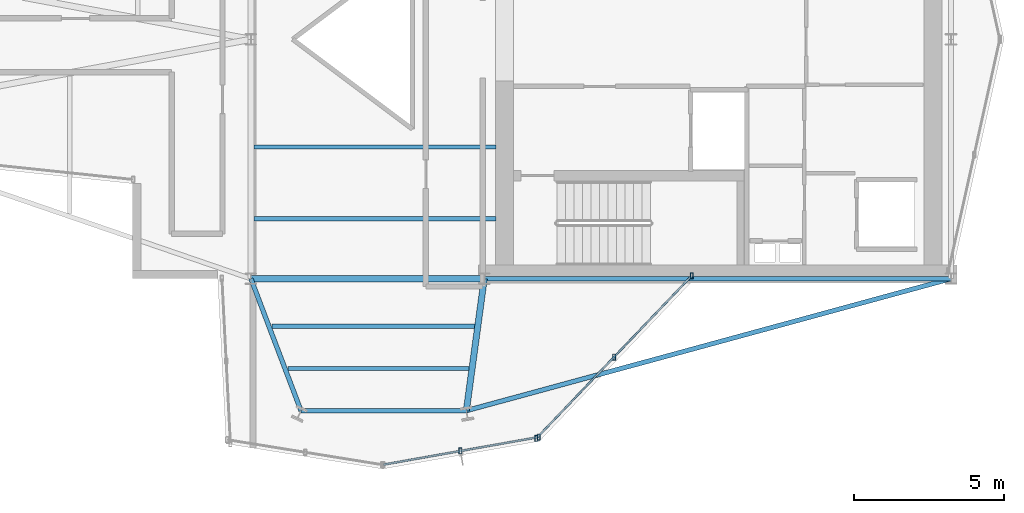
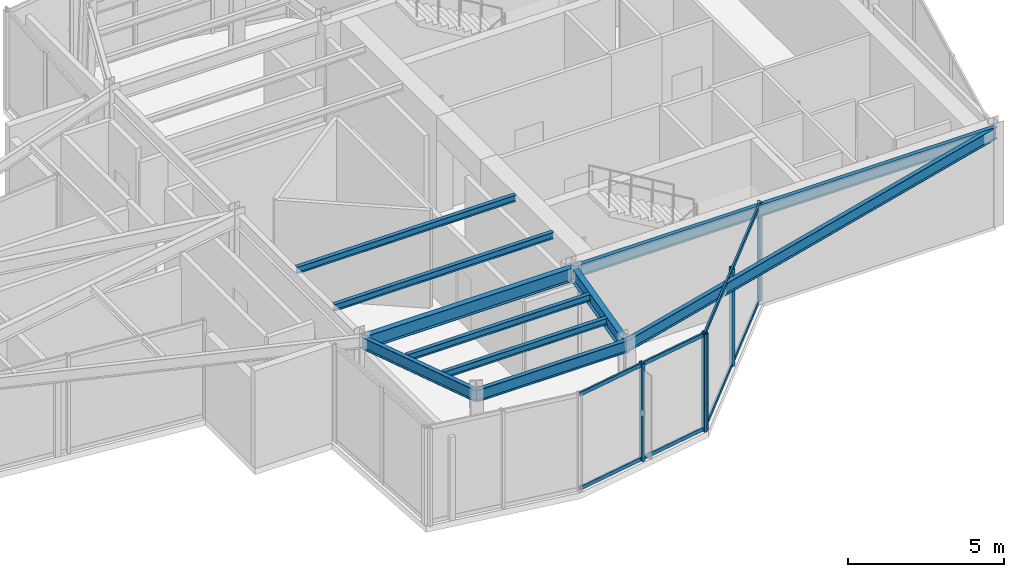
# One storey, part 3 of 14: 10 beams, 9 members, 2 elements without a shape of their own.
"""IFC4 building model written with IfcOpenShell, lengths in metres."""

from ifc_helpers import new_model, si_unit, direction, frame, origin, origin_2d, place, context, subcontext, project, spatial, hollow_rectangle, i_section, extrude, material, layer, layer_set, material_profile, profile_set, type_object, element, aggregate, save


model = new_model("IFC4")

# Units and contexts
model_context = context("Model", 3, precision=1e-05, world=origin(), true_north=direction((0.0, 1.0)))
body_context = subcontext(model_context, "Body", "Model", "MODEL_VIEW")
ifc_project = project(units=[si_unit("LENGTHUNIT", "METRE"), si_unit("AREAUNIT", "SQUARE_METRE"), si_unit("VOLUMEUNIT", "CUBIC_METRE"), si_unit("PLANEANGLEUNIT", "RADIAN"), si_unit("MASSUNIT", "GRAM", prefix="KILO")], contexts=[model_context])

# Site, building, storey
site_placement = place(None, origin())
site = spatial("IfcSite", under=ifc_project, at=site_placement, CompositionType="ELEMENT")
building_placement = place(site_placement, origin())
building = spatial("IfcBuilding", under=site, at=building_placement, Name="Veymaron Broadcast Tower", CompositionType="ELEMENT")
storey_placement = place(building_placement, frame((0.0, 0.0, 299.25)))
storey = spatial("IfcBuildingStorey", under=building, at=storey_placement, Name="L70", CompositionType="ELEMENT", Elevation=299.25)

# Beams
ifc_material_1 = material(Name="Structural steel ASTM A992 Gr 50", Category="steel")
ifc_material_profile_1 = material_profile(ifc_material_1, i_section(OverallWidth=0.208984375, OverallDepth=0.528076171875, WebThickness=0.009521484375, FlangeThickness=0.01318359375, at=origin_2d()), Name="W530X82")
ifc_profile_set_1 = profile_set([ifc_material_profile_1], Name="Structural steel ASTM A992 Gr 50")
beam_type_1 = type_object("IfcBeamType", Name="BM-FG4", PredefinedType="BEAM", material=ifc_profile_set_1)
beam_1_placement = place(storey_placement, frame((31.199951171875, 16.0, 3.5458984375), z_axis=(1.0, 0.0, 0.0), x_axis=(0.0, 1.0, 0.0)))
element("IfcBeam", 1, at=beam_1_placement, inside=storey, type_object=beam_type_1, Name="L70 primary structural floor girder", PredefinedType="BEAM", context=body_context, shape_type="SweptSolid", body=[
    extrude(i_section(OverallWidth=0.208984375, OverallDepth=0.528076171875, WebThickness=0.009521484375, FlangeThickness=0.01318359375, at=origin_2d()), origin(), (0.0, 0.0, 1.0), 7.800048828125),
])
beam_2_placement = place(storey_placement, frame((39.0, 16.0, 3.5458984375), z_axis=(-0.134286101992, -0.990942603187, 0.0), x_axis=(0.990942603187, -0.134286101992, 0.0)))
element("IfcBeam", 2, at=beam_2_placement, inside=storey, type_object=beam_type_1, Name="L70 primary structural floor girder", PredefinedType="BEAM", context=body_context, shape_type="SweptSolid", body=[
    extrude(i_section(OverallWidth=0.208984375, OverallDepth=0.528076171875, WebThickness=0.009521484375, FlangeThickness=0.01318359375, at=origin_2d()), origin(), (0.0, 0.0, 1.0), 4.452392578125),
])
ifc_material_profile_2 = material_profile(ifc_material_1, i_section(OverallWidth=0.14599609375, OverallDepth=0.258056640625, WebThickness=0.006103515625, FlangeThickness=0.009033203125, at=origin_2d()), Name="W250X33")
ifc_profile_set_2 = profile_set([ifc_material_profile_2], Name="Structural steel ASTM A992 Gr 50")
beam_type_2 = type_object("IfcBeamType", Name="BM-JS4", PredefinedType="JOIST", material=ifc_profile_set_2)
beam_3_placement = place(storey_placement, frame((31.90283203125, 14.41162109375, 3.680908203125), z_axis=(1.0, 0.0, 0.0), x_axis=(0.0, 1.0, 0.0)))
element("IfcBeam", 3, at=beam_3_placement, inside=storey, type_object=beam_type_2, Name="L70 Arm-C secondary joist 1", PredefinedType="JOIST", context=body_context, shape_type="SweptSolid", body=[
    extrude(i_section(OverallWidth=0.14599609375, OverallDepth=0.258056640625, WebThickness=0.006103515625, FlangeThickness=0.009033203125, at=origin_2d()), origin(), (0.0, 0.0, 1.0), 6.781982421875),
])
beam_4_placement = place(storey_placement, frame((32.438720703125, 12.999755859375, 3.680908203125), z_axis=(1.0, 0.0, 0.0), x_axis=(0.0, 1.0, 0.0)))
element("IfcBeam", 4, at=beam_4_placement, inside=storey, type_object=beam_type_2, Name="L70 Arm-C secondary joist 2", PredefinedType="JOIST", context=body_context, shape_type="SweptSolid", body=[
    extrude(i_section(OverallWidth=0.14599609375, OverallDepth=0.258056640625, WebThickness=0.006103515625, FlangeThickness=0.009033203125, at=origin_2d()), origin(), (0.0, 0.0, 1.0), 6.0546875),
])
for number, where, z_axis, x_axis, name in (
    (5, (31.300048828125, 18.0, 3.680908203125), (1.0, 0.0, 0.0), (0.0, 1.0, 0.0), "L70 Hub secondary joist 1"),
    (6, (31.300048828125, 20.39990234375, 3.680908203125), (1.0, 0.0, 0.0), (0.0, 1.0, 0.0), "L70 Hub secondary joist 2"),
):
    element("IfcBeam", number, at=place(storey_placement, frame(where, z_axis=z_axis, x_axis=x_axis)), inside=storey, type_object=beam_type_2, Name=name, PredefinedType="JOIST", context=body_context, shape_type="SweptSolid", body=[
        extrude(i_section(OverallWidth=0.14599609375, OverallDepth=0.258056640625, WebThickness=0.006103515625, FlangeThickness=0.009033203125, at=origin_2d()), origin(), (0.0, 0.0, 1.0), 8.099853515625),
    ])
ifc_material_profile_3 = material_profile(ifc_material_1, i_section(OverallWidth=0.154052734375, OverallDepth=0.458984375, WebThickness=0.009033203125, FlangeThickness=0.015380859375, at=origin_2d()), Name="W460X68")
ifc_profile_set_3 = profile_set([ifc_material_profile_3], Name="Structural steel ASTM A992 Gr 50")
beam_type_3 = type_object("IfcBeamType", Name="BM-SP2", PredefinedType="SPANDREL", material=ifc_profile_set_3)
beam_5_placement = place(storey_placement, frame((39.0, 16.0, 3.58056640625), z_axis=(1.0, 0.0, 0.0), x_axis=(0.0, 1.0, 0.0)))
element("IfcBeam", 7, at=beam_5_placement, inside=storey, type_object=beam_type_3, Name="L70 primary structural floor girder", PredefinedType="SPANDREL", context=body_context, shape_type="SweptSolid", body=[
    extrude(i_section(OverallWidth=0.154052734375, OverallDepth=0.458984375, WebThickness=0.009033203125, FlangeThickness=0.015380859375, at=origin_2d()), origin(), (0.0, 0.0, 1.0), 15.60009765625),
])
beam_6_placement = place(storey_placement, frame((31.199951171875, 16.0, 3.58056640625), z_axis=(0.354839811516, -0.934927113824, 0.0), x_axis=(0.934927113824, 0.354839811516, 0.0)))
element("IfcBeam", 8, at=beam_6_placement, inside=storey, type_object=beam_type_3, Name="L70 primary structural floor girder", PredefinedType="SPANDREL", context=body_context, shape_type="SweptSolid", body=[
    extrude(i_section(OverallWidth=0.154052734375, OverallDepth=0.458984375, WebThickness=0.009033203125, FlangeThickness=0.015380859375, at=origin_2d()), origin(), (0.0, 0.0, 1.0), 4.71923828125),
])
beam_7_placement = place(storey_placement, frame((54.60009765625, 16.0, 3.58056640625), z_axis=(-0.964847335687, -0.262810994477, 0.0), x_axis=(0.262810994477, -0.964847335687, 0.0)))
element("IfcBeam", 9, at=beam_7_placement, inside=storey, type_object=beam_type_3, Name="L70 primary structural floor girder", PredefinedType="SPANDREL", context=body_context, shape_type="SweptSolid", body=[
    extrude(i_section(OverallWidth=0.154052734375, OverallDepth=0.458984375, WebThickness=0.009033203125, FlangeThickness=0.015380859375, at=origin_2d()), origin(), (0.0, 0.0, 1.0), 16.7880859375),
])
beam_8_placement = place(storey_placement, frame((32.87451171875, 11.587890625, 3.58056640625), z_axis=(1.0, 0.0, 0.0), x_axis=(0.0, 1.0, 0.0)))
element("IfcBeam", 10, at=beam_8_placement, inside=storey, type_object=beam_type_3, Name="L70 primary structural floor girder", PredefinedType="SPANDREL", context=body_context, shape_type="SweptSolid", body=[
    extrude(i_section(OverallWidth=0.154052734375, OverallDepth=0.458984375, WebThickness=0.009033203125, FlangeThickness=0.015380859375, at=origin_2d()), origin(), (0.0, 0.0, 1.0), 5.527587890625),
])

# Curtain wall, members
ifc_material_2 = material(Name="Anodised aluminium AA 6063-T6 and laminated low-E dark glass", Category="aluminium")
ifc_layer = layer(ifc_material_2, 0.179931640625)
ifc_layer_set = layer_set([ifc_layer], Name="Anodised aluminium AA 6063-T6 and laminated low-E dark glass")
curtain_wall_type = type_object("IfcCurtainWallType", Name="CW-SYS-06", PredefinedType="NOTDEFINED", material=ifc_layer_set)
curtain_wall_1_placement = place(storey_placement, origin())
curtain_wall_1 = element("IfcCurtainWall", 11, at=curtain_wall_1_placement, inside=storey, type_object=curtain_wall_type, Name="L70 dark-glass curtain wall CW-L70-E19-1", PredefinedType="NOTDEFINED")
ifc_material_3 = material(Name="Anodised aluminium AA 6063-T6", Category="aluminium")
ifc_material_profile_4 = material_profile(ifc_material_3, hollow_rectangle(XDim=0.10009765625, YDim=0.199951171875, WallThickness=0.010009765625, at=origin_2d()), Name="RHS200X100X10")
ifc_profile_set_4 = profile_set([ifc_material_profile_4], Name="Anodised aluminium AA 6063-T6")
member_type_1 = type_object("IfcMemberType", Name="CW-MUL-01", PredefinedType="MULLION", material=ifc_profile_set_4)
member_1_placement = place(storey_placement, frame((38.2021484375, 10.24072265625, 0.0), z_axis=(0.0, 0.0, 1.0), x_axis=(1.0, 0.0, 0.0)))
member_1 = element("IfcMember", 12, at=member_1_placement, type_object=member_type_1, Name="CW-L70-E19-1 mullion 1", PredefinedType="MULLION", context=body_context, shape_type="SweptSolid", body=[
    extrude(hollow_rectangle(XDim=0.10009765625, YDim=0.199951171875, WallThickness=0.010009765625, at=origin_2d()), origin(), (0.0, 0.0, 1.0), 3.81005859375),
])
member_2_placement = place(storey_placement, frame((40.819580078125, 10.705078125, 0.0), z_axis=(0.0, 0.0, 1.0), x_axis=(1.0, 0.0, 0.0)))
member_2 = element("IfcMember", 13, at=member_2_placement, type_object=member_type_1, Name="CW-L70-E19-1 mullion 2", PredefinedType="MULLION", context=body_context, shape_type="SweptSolid", body=[
    extrude(hollow_rectangle(XDim=0.10009765625, YDim=0.199951171875, WallThickness=0.010009765625, at=origin_2d()), origin(), (0.0, 0.0, 1.0), 3.81005859375),
])

curtain_wall_2_placement = place(storey_placement, origin())
curtain_wall_2 = element("IfcCurtainWall", 14, at=curtain_wall_2_placement, inside=storey, type_object=curtain_wall_type, Name="L70 dark-glass curtain wall CW-L70-E20-1", PredefinedType="NOTDEFINED")
member_3_placement = place(storey_placement, frame((40.74267578125, 10.663818359375, 0.0), z_axis=(0.0, 0.0, 1.0), x_axis=(1.0, 0.0, 0.0)))
member_3 = element("IfcMember", 15, at=member_3_placement, type_object=member_type_1, Name="CW-L70-E20-1 mullion 0", PredefinedType="MULLION", context=body_context, shape_type="SweptSolid", body=[
    extrude(hollow_rectangle(XDim=0.10009765625, YDim=0.199951171875, WallThickness=0.010009765625, at=origin_2d()), origin(), (0.0, 0.0, 1.0), 3.81005859375),
])
member_4_placement = place(storey_placement, frame((43.33837890625, 13.38037109375, 0.0), z_axis=(0.0, 0.0, 1.0), x_axis=(1.0, 0.0, 0.0)))
member_4 = element("IfcMember", 16, at=member_4_placement, type_object=member_type_1, Name="CW-L70-E20-1 mullion 1", PredefinedType="MULLION", context=body_context, shape_type="SweptSolid", body=[
    extrude(hollow_rectangle(XDim=0.10009765625, YDim=0.199951171875, WallThickness=0.010009765625, at=origin_2d()), origin(), (0.0, 0.0, 1.0), 3.81005859375),
])
member_5_placement = place(storey_placement, frame((45.934326171875, 16.0966796875, 0.0), z_axis=(0.0, 0.0, 1.0), x_axis=(1.0, 0.0, 0.0)))
member_5 = element("IfcMember", 17, at=member_5_placement, type_object=member_type_1, Name="CW-L70-E20-1 mullion 2", PredefinedType="MULLION", context=body_context, shape_type="SweptSolid", body=[
    extrude(hollow_rectangle(XDim=0.10009765625, YDim=0.199951171875, WallThickness=0.010009765625, at=origin_2d()), origin(), (0.0, 0.0, 1.0), 3.81005859375),
])

# Member
ifc_material_profile_5 = material_profile(ifc_material_3, hollow_rectangle(XDim=0.06494140625, YDim=0.14990234375, WallThickness=0.00390625, at=origin_2d()), Name="AL150X65X4")
ifc_profile_set_5 = profile_set([ifc_material_profile_5], Name="Anodised aluminium AA 6063-T6")
member_type_2 = type_object("IfcMemberType", Name="CW-TRN-01", PredefinedType="USERDEFINED", material=ifc_profile_set_5)
member_6_placement = place(storey_placement, frame((35.634033203125, 9.785400390625, 0.070068359375), z_axis=(0.984635728528, 0.174620966971, 0.0), x_axis=(-0.174620966971, 0.984635728528, 0.0)))
member_6 = element("IfcMember", 18, at=member_6_placement, type_object=member_type_2, Name="CW-L70-E19-1 transom B", ObjectType="TRANSOM", PredefinedType="USERDEFINED", context=body_context, shape_type="SweptSolid", body=[
    extrude(hollow_rectangle(XDim=0.06494140625, YDim=0.14990234375, WallThickness=0.00390625, at=origin_2d()), origin(), (0.0, 0.0, 1.0), 5.21630859375),
])

member_7_placement = place(storey_placement, frame((35.634033203125, 9.785400390625, 3.739990234375), z_axis=(0.984635728528, 0.174620966971, 0.0), x_axis=(-0.174620966971, 0.984635728528, 0.0)))
member_7 = element("IfcMember", 19, at=member_7_placement, type_object=member_type_2, Name="CW-L70-E19-1 transom T", ObjectType="TRANSOM", PredefinedType="USERDEFINED", context=body_context, shape_type="SweptSolid", body=[
    extrude(hollow_rectangle(XDim=0.06494140625, YDim=0.14990234375, WallThickness=0.00390625, at=origin_2d()), origin(), (0.0, 0.0, 1.0), 5.21630859375),
])

aggregate(curtain_wall_1, [member_1, member_2, member_6, member_7])

member_8_placement = place(storey_placement, frame((40.777099609375, 10.699951171875, 0.070068359375), z_axis=(0.690889898106, 0.722959991075, 0.0), x_axis=(-0.722959991075, 0.690889898106, 0.0)))
member_8 = element("IfcMember", 20, at=member_8_placement, type_object=member_type_2, Name="CW-L70-E20-1 transom B", ObjectType="TRANSOM", PredefinedType="USERDEFINED", context=body_context, shape_type="SweptSolid", body=[
    extrude(hollow_rectangle(XDim=0.06494140625, YDim=0.14990234375, WallThickness=0.00390625, at=origin_2d()), origin(), (0.0, 0.0, 1.0), 7.414794921875),
])

member_9_placement = place(storey_placement, frame((40.777099609375, 10.699951171875, 3.739990234375), z_axis=(0.690889898106, 0.722959991075, 0.0), x_axis=(-0.722959991075, 0.690889898106, 0.0)))
member_9 = element("IfcMember", 21, at=member_9_placement, type_object=member_type_2, Name="CW-L70-E20-1 transom T", ObjectType="TRANSOM", PredefinedType="USERDEFINED", context=body_context, shape_type="SweptSolid", body=[
    extrude(hollow_rectangle(XDim=0.06494140625, YDim=0.14990234375, WallThickness=0.00390625, at=origin_2d()), origin(), (0.0, 0.0, 1.0), 7.414794921875),
])

aggregate(curtain_wall_2, [member_3, member_4, member_5, member_8, member_9])

save(model, "model.ifc")
